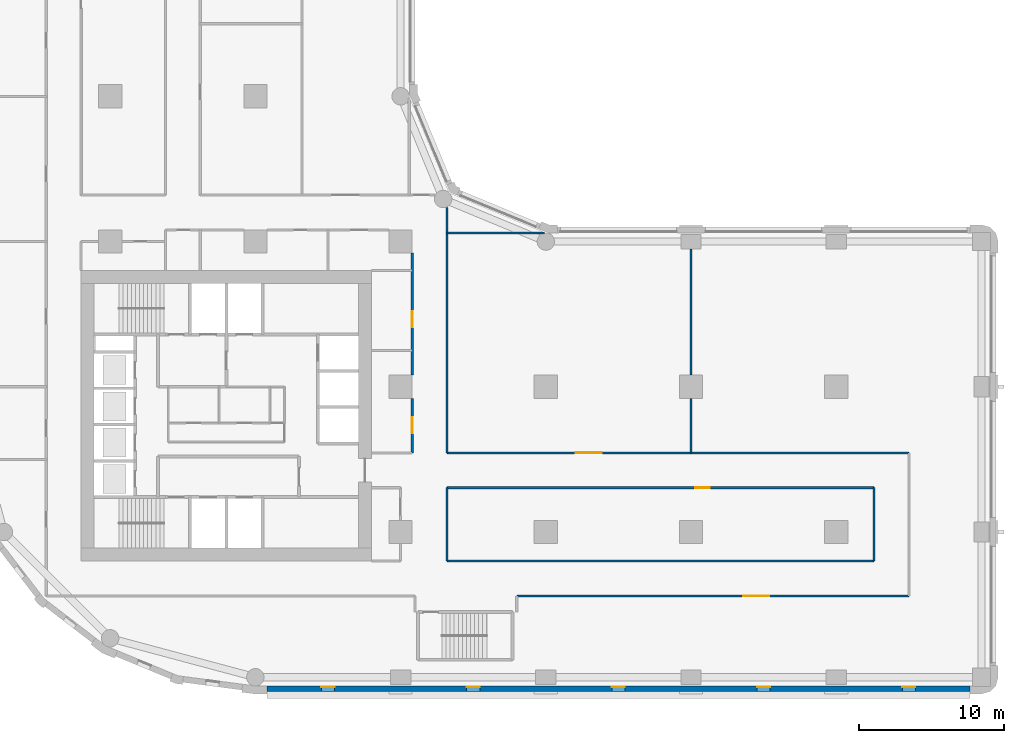
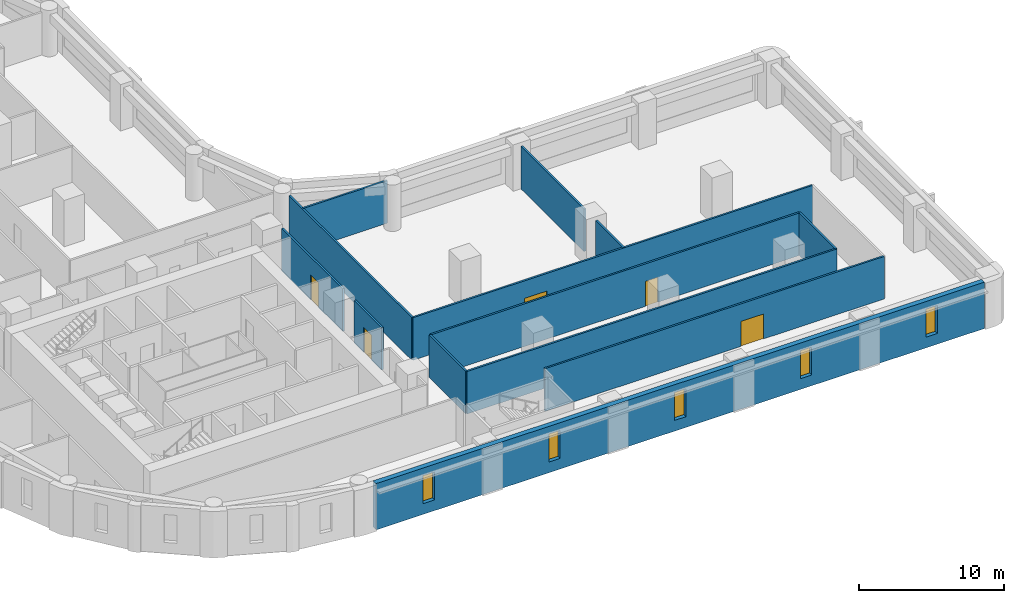
# One storey, part 4 of 10: 13 walls, 5 doors, 5 windows, 10 openings.
"""IFC4 building model written with IfcOpenShell, lengths in metres."""

from ifc_helpers import new_model, si_unit, direction, frame, frame_2d, origin, place, context, subcontext, project, spatial, rectangle, extrude, material, layer, layer_set, type_object, element, fill, save


model = new_model("IFC4")

# Units and contexts
model_context = context("Model", 3, precision=1e-05, world=origin(), true_north=direction((0.0, 1.0)))
body_context = subcontext(model_context, "Body", "Model", "MODEL_VIEW")
ifc_project = project(units=[si_unit("LENGTHUNIT", "METRE"), si_unit("AREAUNIT", "SQUARE_METRE"), si_unit("VOLUMEUNIT", "CUBIC_METRE"), si_unit("PLANEANGLEUNIT", "RADIAN"), si_unit("MASSUNIT", "GRAM", prefix="KILO")], contexts=[model_context])

# Site, building, storey
site_placement = place(None, origin())
site = spatial("IfcSite", under=ifc_project, at=site_placement, CompositionType="ELEMENT")
building_placement = place(site_placement, origin())
building = spatial("IfcBuilding", under=site, at=building_placement, Name="Qaws Garden Tower", CompositionType="ELEMENT")
storey_placement = place(building_placement, frame((0.0, 0.0, 58.800048828125)))
storey = spatial("IfcBuildingStorey", under=building, at=storey_placement, Name="L14", CompositionType="ELEMENT", Elevation=58.800048828125)

# Wall, openings, windows
ifc_material_1 = material(Name="Clay facing brick masonry", Category="masonry")
ifc_layer_1 = layer(ifc_material_1, 0.39990234375)
ifc_layer_set_1 = layer_set([ifc_layer_1], Name="Clay facing brick masonry")
wall_type_1 = type_object("IfcWallType", Name="Brick infill wall 400", PredefinedType="SOLIDWALL", material=ifc_layer_set_1)
wall_1_placement = place(storey_placement, frame((20.800048828125, -0.800048828125, 0.0), z_axis=(0.0, 0.0, 1.0), x_axis=(1.0, 0.0, 0.0)))
wall_1 = element("IfcWall", 1, at=wall_1_placement, inside=storey, type_object=wall_type_1, Name="E-L14-infill-00", PredefinedType="SOLIDWALL", context=body_context, shape_type="SweptSolid", body=[
    extrude(rectangle(XDim=48.39990234375, YDim=0.39990234375, at=frame_2d((24.199951171875, 0.0))), origin(), (0.0, 0.0, 1.0), 3.89990234375),
])
opening_1_placement = place(wall_1_placement, frame((3.75, 0.0, 0.89990234375)))
opening_1 = element("IfcOpeningElement", 2, at=opening_1_placement, cuts=wall_1, Name="Opening W09", PredefinedType="OPENING", context=body_context, shape_type="SweptSolid", body=[
    extrude(rectangle(XDim=0.89990234375, YDim=2.35009765625, at=frame_2d((0.449951171875, 1.175048828125))), frame((0.0, 0.2099609375, 0.0), z_axis=(0.0, -1.0, 0.0), x_axis=(1.0, 0.0, 0.0)), (0.0, 0.0, 1.0), 0.419921875),
])
opening_2_placement = place(wall_1_placement, frame((13.75, 0.0, 0.89990234375)))
opening_2 = element("IfcOpeningElement", 3, at=opening_2_placement, cuts=wall_1, Name="Opening W09", PredefinedType="OPENING", context=body_context, shape_type="SweptSolid", body=[
    extrude(rectangle(XDim=0.89990234375, YDim=2.35009765625, at=frame_2d((0.449951171875, 1.175048828125))), frame((0.0, 0.2099609375, 0.0), z_axis=(0.0, -1.0, 0.0), x_axis=(1.0, 0.0, 0.0)), (0.0, 0.0, 1.0), 0.419921875),
])
opening_3_placement = place(wall_1_placement, frame((23.75, 0.0, 0.89990234375)))
opening_3 = element("IfcOpeningElement", 4, at=opening_3_placement, cuts=wall_1, Name="Opening W09", PredefinedType="OPENING", context=body_context, shape_type="SweptSolid", body=[
    extrude(rectangle(XDim=0.89990234375, YDim=2.35009765625, at=frame_2d((0.449951171875, 1.175048828125))), frame((0.0, 0.2099609375, 0.0), z_axis=(0.0, -1.0, 0.0), x_axis=(1.0, 0.0, 0.0)), (0.0, 0.0, 1.0), 0.419921875),
])
opening_4_placement = place(wall_1_placement, frame((33.75, 0.0, 0.89990234375)))
opening_4 = element("IfcOpeningElement", 5, at=opening_4_placement, cuts=wall_1, Name="Opening W09", PredefinedType="OPENING", context=body_context, shape_type="SweptSolid", body=[
    extrude(rectangle(XDim=0.89990234375, YDim=2.35009765625, at=frame_2d((0.449951171875, 1.175048828125))), frame((0.0, 0.2099609375, 0.0), z_axis=(0.0, -1.0, 0.0), x_axis=(1.0, 0.0, 0.0)), (0.0, 0.0, 1.0), 0.419921875),
])
opening_5_placement = place(wall_1_placement, frame((43.75, 0.0, 0.89990234375)))
opening_5 = element("IfcOpeningElement", 6, at=opening_5_placement, cuts=wall_1, Name="Opening W09", PredefinedType="OPENING", context=body_context, shape_type="SweptSolid", body=[
    extrude(rectangle(XDim=0.89990234375, YDim=2.35009765625, at=frame_2d((0.449951171875, 1.175048828125))), frame((0.0, 0.2099609375, 0.0), z_axis=(0.0, -1.0, 0.0), x_axis=(1.0, 0.0, 0.0)), (0.0, 0.0, 1.0), 0.419921875),
])
ifc_material_2 = material(Name="Aluminium framed window, clear glazing", Category="aluminium")
window_type = type_object("IfcWindowType", Name="Slit window 900 x 2350", PartitioningType="SINGLE_PANEL", PredefinedType="WINDOW", material=ifc_material_2)
window_1_placement = place(opening_1_placement, origin())
window_1 = element("IfcWindow", 7, at=window_1_placement, inside=storey, type_object=window_type, Name="E-L14-window-00-0", OverallHeight=2.35009765625, OverallWidth=0.89990234375, PartitioningType="SINGLE_PANEL", PredefinedType="WINDOW", context=body_context, shape_type="SweptSolid", body=[
    extrude(rectangle(XDim=0.89990234375, YDim=2.35009765625, at=frame_2d((0.449951171875, 1.175048828125))), frame((0.0, 0.159912109375, 0.0), z_axis=(0.0, -1.0, 0.0), x_axis=(1.0, 0.0, 0.0)), (0.0, 0.0, 1.0), 0.06005859375),
])
fill(opening_1, window_1)
window_2_placement = place(opening_2_placement, origin())
window_2 = element("IfcWindow", 8, at=window_2_placement, inside=storey, type_object=window_type, Name="E-L14-window-01-0", OverallHeight=2.35009765625, OverallWidth=0.89990234375, PartitioningType="SINGLE_PANEL", PredefinedType="WINDOW", context=body_context, shape_type="SweptSolid", body=[
    extrude(rectangle(XDim=0.89990234375, YDim=2.35009765625, at=frame_2d((0.449951171875, 1.175048828125))), frame((0.0, 0.159912109375, 0.0), z_axis=(0.0, -1.0, 0.0), x_axis=(1.0, 0.0, 0.0)), (0.0, 0.0, 1.0), 0.06005859375),
])
fill(opening_2, window_2)
window_3_placement = place(opening_3_placement, origin())
window_3 = element("IfcWindow", 9, at=window_3_placement, inside=storey, type_object=window_type, Name="E-L14-window-02-0", OverallHeight=2.35009765625, OverallWidth=0.89990234375, PartitioningType="SINGLE_PANEL", PredefinedType="WINDOW", context=body_context, shape_type="SweptSolid", body=[
    extrude(rectangle(XDim=0.89990234375, YDim=2.35009765625, at=frame_2d((0.449951171875, 1.175048828125))), frame((0.0, 0.159912109375, 0.0), z_axis=(0.0, -1.0, 0.0), x_axis=(1.0, 0.0, 0.0)), (0.0, 0.0, 1.0), 0.06005859375),
])
fill(opening_3, window_3)
window_4_placement = place(opening_4_placement, origin())
window_4 = element("IfcWindow", 10, at=window_4_placement, inside=storey, type_object=window_type, Name="E-L14-window-03-0", OverallHeight=2.35009765625, OverallWidth=0.89990234375, PartitioningType="SINGLE_PANEL", PredefinedType="WINDOW", context=body_context, shape_type="SweptSolid", body=[
    extrude(rectangle(XDim=0.89990234375, YDim=2.35009765625, at=frame_2d((0.449951171875, 1.175048828125))), frame((0.0, 0.159912109375, 0.0), z_axis=(0.0, -1.0, 0.0), x_axis=(1.0, 0.0, 0.0)), (0.0, 0.0, 1.0), 0.06005859375),
])
fill(opening_4, window_4)
window_5_placement = place(opening_5_placement, origin())
window_5 = element("IfcWindow", 11, at=window_5_placement, inside=storey, type_object=window_type, Name="E-L14-window-04-0", OverallHeight=2.35009765625, OverallWidth=0.89990234375, PartitioningType="SINGLE_PANEL", PredefinedType="WINDOW", context=body_context, shape_type="SweptSolid", body=[
    extrude(rectangle(XDim=0.89990234375, YDim=2.35009765625, at=frame_2d((0.449951171875, 1.175048828125))), frame((0.0, 0.159912109375, 0.0), z_axis=(0.0, -1.0, 0.0), x_axis=(1.0, 0.0, 0.0)), (0.0, 0.0, 1.0), 0.06005859375),
])
fill(opening_5, window_5)

# Wall, opening, door
ifc_material_3 = material(Name="Gypsum board partition")
ifc_layer_2 = layer(ifc_material_3, 0.14990234375)
ifc_layer_set_2 = layer_set([ifc_layer_2], Name="Gypsum board partition")
wall_type_2 = type_object("IfcWallType", Name="PARTITION 150 EI 60", PredefinedType="PARTITIONING", material=ifc_layer_set_2)
wall_2_placement = place(storey_placement, frame((30.800048828125, 15.449951171875, 0.0), z_axis=(0.0, 0.0, 1.0), x_axis=(0.0, 1.0, 0.0)))
wall_2 = element("IfcWall", 12, at=wall_2_placement, inside=storey, type_object=wall_type_2, Name="O-L14-wall-016", PredefinedType="PARTITIONING", context=body_context, shape_type="SweptSolid", body=[
    extrude(rectangle(XDim=3.75, YDim=0.14990234375, at=frame_2d((1.875, 0.0))), origin(), (0.0, 0.0, 1.0), 3.579833984375),
])
opening_6_placement = place(wall_2_placement, frame((1.35009765625, 0.0, 0.0)))
opening_6 = element("IfcOpeningElement", 13, at=opening_6_placement, cuts=wall_2, Name="Opening A503", PredefinedType="OPENING", context=body_context, shape_type="SweptSolid", body=[
    extrude(rectangle(XDim=1.10009765625, YDim=2.10009765625, at=frame_2d((0.550048828125, 1.050048828125))), frame((0.0, 0.0849609375, 0.0), z_axis=(0.0, -1.0, 0.0), x_axis=(1.0, 0.0, 0.0)), (0.0, 0.0, 1.0), 0.169921875),
])
ifc_material_4 = material(Name="Timber door leaf", Category="wood")
door_type_1 = type_object("IfcDoorType", Name="SERVICE ROOM DOOR 1100 X 2100", OperationType="SINGLE_SWING_LEFT", PredefinedType="DOOR", material=ifc_material_4)
door_1_placement = place(opening_6_placement, origin())
door_1 = element("IfcDoor", 14, at=door_1_placement, inside=storey, type_object=door_type_1, Name="O-L14-door-003", OperationType="SINGLE_SWING_RIGHT", OverallHeight=2.10009765625, OverallWidth=1.10009765625, PredefinedType="DOOR", context=body_context, shape_type="SweptSolid", body=[
    extrude(rectangle(XDim=1.10009765625, YDim=2.10009765625, at=frame_2d((0.550048828125, 1.050048828125))), frame((0.0, 0.02490234375, 0.0), z_axis=(0.0, -1.0, 0.0), x_axis=(1.0, 0.0, 0.0)), (0.0, 0.0, 1.0), 0.050048828125),
])
fill(opening_6, door_1)

wall_3_placement = place(storey_placement, frame((30.800048828125, 20.800048828125, 0.0), z_axis=(0.0, 0.0, 1.0), x_axis=(0.0, 1.0, 0.0)))
wall_3 = element("IfcWall", 15, at=wall_3_placement, inside=storey, type_object=wall_type_2, Name="O-L14-wall-017", PredefinedType="PARTITIONING", context=body_context, shape_type="SweptSolid", body=[
    extrude(rectangle(XDim=8.39990234375, YDim=0.14990234375, at=frame_2d((4.199951171875, 0.0))), origin(), (0.0, 0.0, 1.0), 3.579833984375),
])
opening_7_placement = place(wall_3_placement, frame((3.300048828125, 0.0, 0.0)))
opening_7 = element("IfcOpeningElement", 16, at=opening_7_placement, cuts=wall_3, Name="Opening A504", PredefinedType="OPENING", context=body_context, shape_type="SweptSolid", body=[
    extrude(rectangle(XDim=1.10009765625, YDim=2.10009765625, at=frame_2d((0.550048828125, 1.050048828125))), frame((0.0, 0.0849609375, 0.0), z_axis=(0.0, -1.0, 0.0), x_axis=(1.0, 0.0, 0.0)), (0.0, 0.0, 1.0), 0.169921875),
])
door_2_placement = place(opening_7_placement, origin())
door_2 = element("IfcDoor", 17, at=door_2_placement, inside=storey, type_object=door_type_1, Name="O-L14-door-004", OperationType="SINGLE_SWING_RIGHT", OverallHeight=2.10009765625, OverallWidth=1.10009765625, PredefinedType="DOOR", context=body_context, shape_type="SweptSolid", body=[
    extrude(rectangle(XDim=1.10009765625, YDim=2.10009765625, at=frame_2d((0.550048828125, 1.050048828125))), frame((0.0, 0.02490234375, 0.0), z_axis=(0.0, -1.0, 0.0), x_axis=(1.0, 0.0, 0.0)), (0.0, 0.0, 1.0), 0.050048828125),
])
fill(opening_7, door_2)

# Walls
wall_4_placement = place(storey_placement, frame((33.199951171875, 8.0, 0.0), z_axis=(0.0, 0.0, 1.0), x_axis=(0.0, 1.0, 0.0)))
element("IfcWall", 18, at=wall_4_placement, inside=storey, type_object=wall_type_2, Name="O-L14-wall-019", PredefinedType="PARTITIONING", context=body_context, shape_type="SweptSolid", body=[
    extrude(rectangle(XDim=5.050048828125, YDim=0.14990234375, at=frame_2d((2.52490234375, 0.0))), origin(), (0.0, 0.0, 1.0), 3.579833984375),
])
wall_5_placement = place(storey_placement, frame((33.199951171875, 15.449951171875, 0.0), z_axis=(0.0, 0.0, 1.0), x_axis=(0.0, 1.0, 0.0)))
element("IfcWall", 19, at=wall_5_placement, inside=storey, type_object=wall_type_2, Name="O-L14-wall-020", PredefinedType="PARTITIONING", context=body_context, shape_type="SweptSolid", body=[
    extrude(rectangle(XDim=16.912109375, YDim=0.14990234375, at=frame_2d((8.4560546875, 0.0))), origin(), (0.0, 0.0, 1.0), 3.579833984375),
])
wall_6_placement = place(storey_placement, frame((50.0, 15.449951171875, 0.0), z_axis=(0.0, 0.0, 1.0), x_axis=(0.0, 1.0, 0.0)))
element("IfcWall", 20, at=wall_6_placement, inside=storey, type_object=wall_type_2, Name="O-L14-wall-022", PredefinedType="PARTITIONING", context=body_context, shape_type="SweptSolid", body=[
    extrude(rectangle(XDim=3.75, YDim=0.14990234375, at=frame_2d((1.875, 0.0))), origin(), (0.0, 0.0, 1.0), 3.579833984375),
])
wall_7_placement = place(storey_placement, frame((50.0, 20.800048828125, 0.0), z_axis=(0.0, 0.0, 1.0), x_axis=(0.0, 1.0, 0.0)))
element("IfcWall", 21, at=wall_7_placement, inside=storey, type_object=wall_type_2, Name="O-L14-wall-023", PredefinedType="PARTITIONING", context=body_context, shape_type="SweptSolid", body=[
    extrude(rectangle(XDim=8.699951171875, YDim=0.14990234375, at=frame_2d((4.35009765625, 0.0))), origin(), (0.0, 0.0, 1.0), 3.579833984375),
])
wall_8_placement = place(storey_placement, frame((62.60009765625, 8.0, 0.0), z_axis=(0.0, 0.0, 1.0), x_axis=(0.0, 1.0, 0.0)))
element("IfcWall", 22, at=wall_8_placement, inside=storey, type_object=wall_type_2, Name="O-L14-wall-024", PredefinedType="PARTITIONING", context=body_context, shape_type="SweptSolid", body=[
    extrude(rectangle(XDim=5.050048828125, YDim=0.14990234375, at=frame_2d((2.52490234375, 0.0))), origin(), (0.0, 0.0, 1.0), 3.579833984375),
])

# Wall, opening, door
wall_9_placement = place(storey_placement, frame((38.0, 5.60009765625, 0.0), z_axis=(0.0, 0.0, 1.0), x_axis=(1.0, 0.0, 0.0)))
wall_9 = element("IfcWall", 23, at=wall_9_placement, inside=storey, type_object=wall_type_2, Name="O-L14-wall-027", PredefinedType="PARTITIONING", context=body_context, shape_type="SweptSolid", body=[
    extrude(rectangle(XDim=27.0, YDim=0.14990234375, at=frame_2d((13.5, 0.0))), origin(), (0.0, 0.0, 1.0), 3.579833984375),
])
opening_8_placement = place(wall_9_placement, frame((15.60009765625, 0.0, 0.0)))
opening_8 = element("IfcOpeningElement", 24, at=opening_8_placement, cuts=wall_9, Name="Opening A521", PredefinedType="OPENING", context=body_context, shape_type="SweptSolid", body=[
    extrude(rectangle(XDim=1.800048828125, YDim=2.10009765625, at=frame_2d((0.89990234375, 1.050048828125))), frame((0.0, 0.0849609375, 0.0), z_axis=(0.0, -1.0, 0.0), x_axis=(1.0, 0.0, 0.0)), (0.0, 0.0, 1.0), 0.169921875),
])
ifc_material_5 = material(Name="Timber door leaf", Category="wood")
door_type_2 = type_object("IfcDoorType", Name="DOUBLE DOOR 1800 X 2100", OperationType="DOUBLE_DOOR_SINGLE_SWING", PredefinedType="DOOR", material=ifc_material_5)
door_3_placement = place(opening_8_placement, frame((1.800048828125, 0.0, 0.0), z_axis=(0.0, 0.0, 1.0), x_axis=(-1.0, 0.0, 0.0)))
door_3 = element("IfcDoor", 25, at=door_3_placement, inside=storey, type_object=door_type_2, Name="O-L14-door-021", OperationType="DOUBLE_DOOR_SINGLE_SWING", OverallHeight=2.10009765625, OverallWidth=1.800048828125, PredefinedType="DOOR", context=body_context, shape_type="SweptSolid", body=[
    extrude(rectangle(XDim=1.800048828125, YDim=2.10009765625, at=frame_2d((0.89990234375, 1.050048828125))), frame((0.0, 0.02490234375, 0.0), z_axis=(0.0, -1.0, 0.0), x_axis=(1.0, 0.0, 0.0)), (0.0, 0.0, 1.0), 0.050048828125),
])
fill(opening_8, door_3)

# Wall
wall_10_placement = place(storey_placement, frame((33.199951171875, 8.0, 0.0), z_axis=(0.0, 0.0, 1.0), x_axis=(1.0, 0.0, 0.0)))
element("IfcWall", 26, at=wall_10_placement, inside=storey, type_object=wall_type_2, Name="O-L14-wall-029", PredefinedType="PARTITIONING", context=body_context, shape_type="SweptSolid", body=[
    extrude(rectangle(XDim=29.400146484375, YDim=0.14990234375, at=frame_2d((14.7001953125, 0.0))), origin(), (0.0, 0.0, 1.0), 3.579833984375),
])

# Wall, opening, door
wall_11_placement = place(storey_placement, frame((33.199951171875, 13.050048828125, 0.0), z_axis=(0.0, 0.0, 1.0), x_axis=(1.0, 0.0, 0.0)))
wall_11 = element("IfcWall", 27, at=wall_11_placement, inside=storey, type_object=wall_type_2, Name="O-L14-wall-031", PredefinedType="PARTITIONING", context=body_context, shape_type="SweptSolid", body=[
    extrude(rectangle(XDim=29.400146484375, YDim=0.14990234375, at=frame_2d((14.7001953125, 0.0))), origin(), (0.0, 0.0, 1.0), 3.579833984375),
])
opening_9_placement = place(wall_11_placement, frame((17.10009765625, 0.0, 0.0)))
opening_9 = element("IfcOpeningElement", 28, at=opening_9_placement, cuts=wall_11, Name="Opening A522", PredefinedType="OPENING", context=body_context, shape_type="SweptSolid", body=[
    extrude(rectangle(XDim=1.0, YDim=2.10009765625, at=frame_2d((0.5, 1.050048828125))), frame((0.0, 0.0849609375, 0.0), z_axis=(0.0, -1.0, 0.0), x_axis=(1.0, 0.0, 0.0)), (0.0, 0.0, 1.0), 0.169921875),
])
ifc_material_6 = material(Name="Timber door leaf", Category="wood")
door_type_3 = type_object("IfcDoorType", Name="TENANCY ENTRANCE DOOR 1000 X 2100", OperationType="SINGLE_SWING_LEFT", PredefinedType="DOOR", material=ifc_material_6)
door_4_placement = place(opening_9_placement, frame((1.0, 0.0, 0.0), z_axis=(0.0, 0.0, 1.0), x_axis=(-1.0, 0.0, 0.0)))
door_4 = element("IfcDoor", 29, at=door_4_placement, inside=storey, type_object=door_type_3, Name="O-L14-door-022", OperationType="SINGLE_SWING_RIGHT", OverallHeight=2.10009765625, OverallWidth=1.0, PredefinedType="DOOR", context=body_context, shape_type="SweptSolid", body=[
    extrude(rectangle(XDim=1.0, YDim=2.10009765625, at=frame_2d((0.5, 1.050048828125))), frame((0.0, 0.02490234375, 0.0), z_axis=(0.0, -1.0, 0.0), x_axis=(1.0, 0.0, 0.0)), (0.0, 0.0, 1.0), 0.050048828125),
])
fill(opening_9, door_4)

wall_12_placement = place(storey_placement, frame((33.199951171875, 15.449951171875, 0.0), z_axis=(0.0, 0.0, 1.0), x_axis=(1.0, 0.0, 0.0)))
wall_12 = element("IfcWall", 30, at=wall_12_placement, inside=storey, type_object=wall_type_2, Name="O-L14-wall-034", PredefinedType="PARTITIONING", context=body_context, shape_type="SweptSolid", body=[
    extrude(rectangle(XDim=31.800048828125, YDim=0.14990234375, at=frame_2d((15.89990234375, 0.0))), origin(), (0.0, 0.0, 1.0), 3.579833984375),
])
opening_10_placement = place(wall_12_placement, frame((8.85009765625, 0.0, 0.0)))
opening_10 = element("IfcOpeningElement", 31, at=opening_10_placement, cuts=wall_12, Name="Opening A523", PredefinedType="OPENING", context=body_context, shape_type="SweptSolid", body=[
    extrude(rectangle(XDim=1.800048828125, YDim=2.10009765625, at=frame_2d((0.89990234375, 1.050048828125))), frame((0.0, 0.0849609375, 0.0), z_axis=(0.0, -1.0, 0.0), x_axis=(1.0, 0.0, 0.0)), (0.0, 0.0, 1.0), 0.169921875),
])
door_5_placement = place(opening_10_placement, origin())
door_5 = element("IfcDoor", 32, at=door_5_placement, inside=storey, type_object=door_type_2, Name="O-L14-door-023", OperationType="DOUBLE_DOOR_SINGLE_SWING", OverallHeight=2.10009765625, OverallWidth=1.800048828125, PredefinedType="DOOR", context=body_context, shape_type="SweptSolid", body=[
    extrude(rectangle(XDim=1.800048828125, YDim=2.10009765625, at=frame_2d((0.89990234375, 1.050048828125))), frame((0.0, 0.02490234375, 0.0), z_axis=(0.0, -1.0, 0.0), x_axis=(1.0, 0.0, 0.0)), (0.0, 0.0, 1.0), 0.050048828125),
])
fill(opening_10, door_5)

# Wall
wall_13_placement = place(storey_placement, frame((33.199951171875, 30.60009765625, 0.0), z_axis=(0.0, 0.0, 1.0), x_axis=(1.0, 0.0, 0.0)))
element("IfcWall", 33, at=wall_13_placement, inside=storey, type_object=wall_type_2, Name="O-L14-wall-041", PredefinedType="PARTITIONING", context=body_context, shape_type="SweptSolid", body=[
    extrude(rectangle(XDim=6.698974609375, YDim=0.14990234375, at=frame_2d((3.349609375, 0.0))), origin(), (0.0, 0.0, 1.0), 3.579833984375),
])

save(model, "model.ifc")
